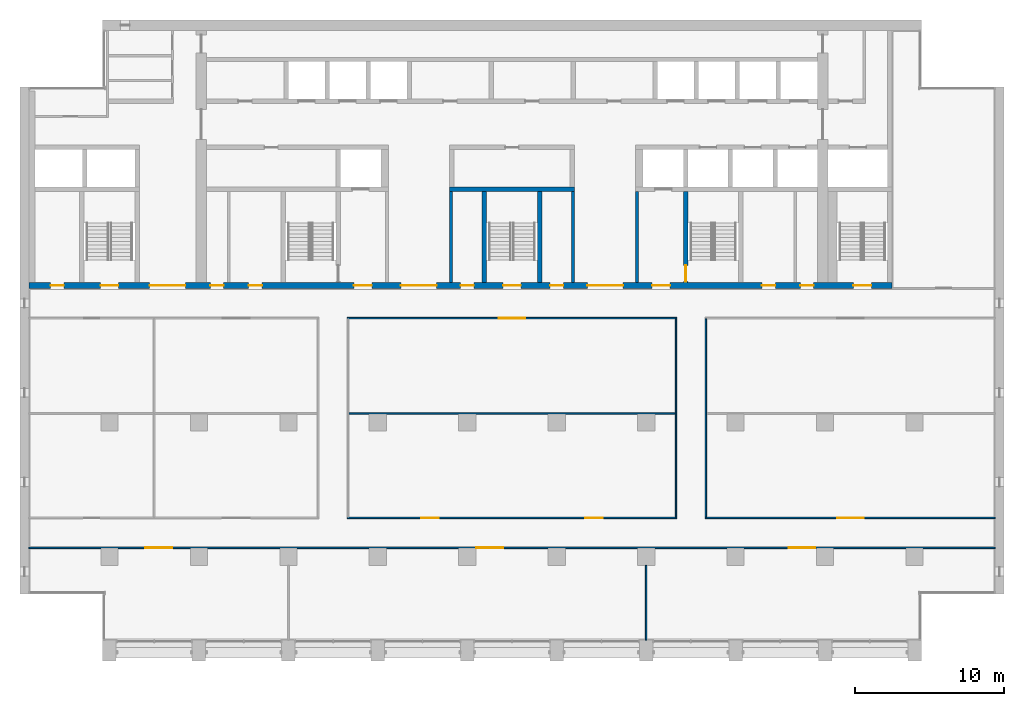
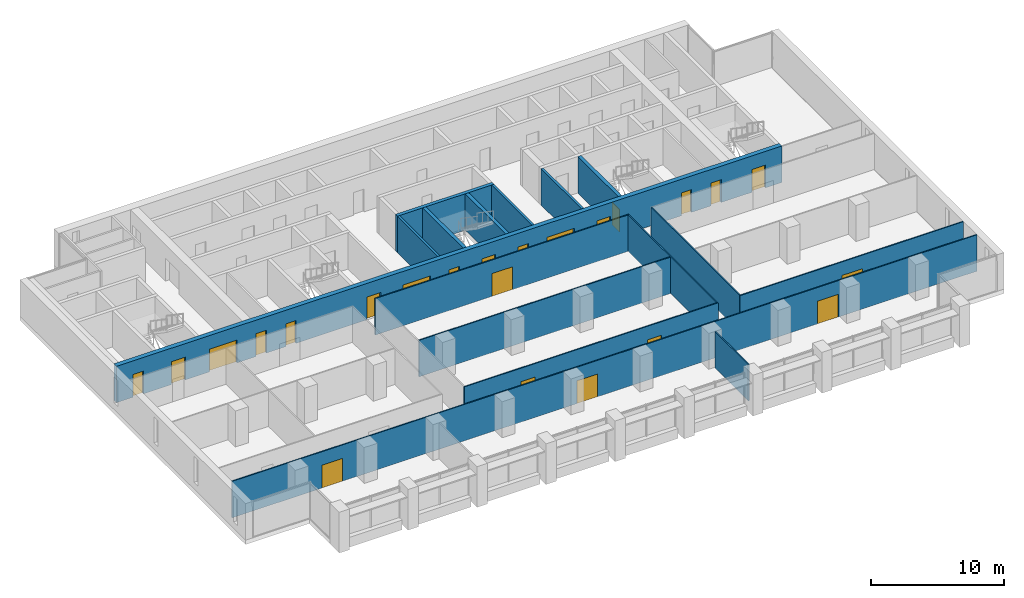
# One storey, part 9 of 16: 23 doors, 16 walls, 23 openings.
"""IFC4 building model written with IfcOpenShell, lengths in metres."""

from ifc_helpers import new_model, si_unit, direction, frame, frame_2d, origin, place, context, subcontext, project, spatial, rectangle, extrude, material, layer, layer_set, type_object, element, fill, save


model = new_model("IFC4")

# Units and contexts
model_context = context("Model", 3, precision=1e-05, world=origin(), true_north=direction((0.0, 1.0)))
body_context = subcontext(model_context, "Body", "Model", "MODEL_VIEW")
ifc_project = project(units=[si_unit("LENGTHUNIT", "METRE"), si_unit("AREAUNIT", "SQUARE_METRE"), si_unit("VOLUMEUNIT", "CUBIC_METRE"), si_unit("PLANEANGLEUNIT", "RADIAN"), si_unit("MASSUNIT", "GRAM", prefix="KILO")], contexts=[model_context])

# Site, building, storey
site_placement = place(None, origin())
site = spatial("IfcSite", under=ifc_project, at=site_placement, CompositionType="ELEMENT")
building_placement = place(site_placement, origin())
building = spatial("IfcBuilding", under=site, at=building_placement, Name="Calvaro Tower", CompositionType="ELEMENT")
storey_placement = place(building_placement, frame((0.0, 0.0, 178.0)))
storey = spatial("IfcBuildingStorey", under=building, at=storey_placement, Name="L44", CompositionType="ELEMENT", Elevation=178.0)

# Walls
ifc_material_1 = material(Name="Blockwork partition", Category="masonry")
ifc_layer_1 = layer(ifc_material_1, 0.199951171875)
ifc_layer_set_1 = layer_set([ifc_layer_1], Name="Blockwork partition")
wall_type_1 = type_object("IfcWallType", Name="Core partition 200 REI 120", PredefinedType="PARTITIONING", material=ifc_layer_set_1)
for number, where, z_axis, x_axis, name in (
    (1, (34.89990234375, 28.39990234375, 0.0), (0.0, 0.0, 1.0), (0.0, 1.0, 0.0), "Core partition"),
    (2, (43.10009765625, 28.39990234375, 0.0), (0.0, 0.0, 1.0), (0.0, 1.0, 0.0), "Core partition"),
    (3, (47.39990234375, 28.39990234375, 0.0), (0.0, 0.0, 1.0), (0.0, 1.0, 0.0), "Core partition"),
):
    element("IfcWall", number, at=place(storey_placement, frame(where, z_axis=z_axis, x_axis=x_axis)), inside=storey, type_object=wall_type_1, Name=name, PredefinedType="PARTITIONING", context=body_context, shape_type="SweptSolid", body=[
        extrude(rectangle(XDim=6.10009765625, YDim=0.199951171875, at=frame_2d((3.050048828125, 0.0))), origin(), (0.0, 0.0, 1.0), 3.35009765625),
    ])
ifc_material_2 = material(Name="Concrete C50/60", Category="concrete")
ifc_layer_2 = layer(ifc_material_2, 0.300048828125)
ifc_layer_set_2 = layer_set([ifc_layer_2], Name="Concrete C50/60")
wall_type_2 = type_object("IfcWallType", Name="Core wall C50/60 300", PredefinedType="SHEAR", material=ifc_layer_set_2)
for number, where, z_axis, x_axis, name in (
    (4, (37.14990234375, 28.39990234375, 0.0), (0.0, 0.0, 1.0), (0.0, 1.0, 0.0), "Core wall, stair enclosure"),
    (5, (40.85009765625, 28.39990234375, 0.0), (0.0, 0.0, 1.0), (0.0, 1.0, 0.0), "Core wall, stair enclosure"),
):
    element("IfcWall", number, at=place(storey_placement, frame(where, z_axis=z_axis, x_axis=x_axis)), inside=storey, type_object=wall_type_2, Name=name, PredefinedType="SHEAR", context=body_context, shape_type="SweptSolid", body=[
        extrude(rectangle(XDim=6.10009765625, YDim=0.300048828125, at=frame_2d((3.050048828125, 0.0))), origin(), (0.0, 0.0, 1.0), 3.35009765625),
    ])

# Wall, opening, door
wall_1_placement = place(storey_placement, frame((50.64990234375, 34.5, 0.0), z_axis=(0.0, 0.0, 1.0), x_axis=(0.0, -1.0, 0.0)))
wall_1 = element("IfcWall", 6, at=wall_1_placement, inside=storey, type_object=wall_type_2, Name="Core wall, stair enclosure", PredefinedType="SHEAR", context=body_context, shape_type="SweptSolid", body=[
    extrude(rectangle(XDim=6.10009765625, YDim=0.300048828125, at=frame_2d((3.050048828125, 0.0))), origin(), (0.0, 0.0, 1.0), 3.35009765625),
])
opening_1_placement = place(wall_1_placement, frame((4.949951171875, 0.0, 0.0)))
opening_1 = element("IfcOpeningElement", 7, at=opening_1_placement, cuts=wall_1, Name="Opening FD11D", PredefinedType="OPENING", context=body_context, shape_type="SweptSolid", body=[
    extrude(rectangle(XDim=1.10009765625, YDim=2.10009765625, at=frame_2d((0.550048828125, 1.050048828125))), frame((0.0, 0.159912109375, 0.0), z_axis=(0.0, -1.0, 0.0), x_axis=(1.0, 0.0, 0.0)), (0.0, 0.0, 1.0), 0.320068359375),
])
ifc_material_3 = material(Name="Steel door set", Category="steel")
door_type_1 = type_object("IfcDoorType", Name="Fire door 1100 FD30S", OperationType="SINGLE_SWING_LEFT", PredefinedType="DOOR", material=ifc_material_3)
door_1_placement = place(opening_1_placement, origin())
door_1 = element("IfcDoor", 8, at=door_1_placement, inside=storey, type_object=door_type_1, Name="Fire door", OperationType="SINGLE_SWING_RIGHT", OverallHeight=2.10009765625, OverallWidth=1.10009765625, PredefinedType="DOOR", context=body_context, shape_type="SweptSolid", body=[
    extrude(rectangle(XDim=1.10009765625, YDim=2.10009765625, at=frame_2d((0.550048828125, 1.050048828125))), frame((0.0, 0.02490234375, 0.0), z_axis=(0.0, -1.0, 0.0), x_axis=(1.0, 0.0, 0.0)), (0.0, 0.0, 1.0), 0.050048828125),
])
fill(opening_1, door_1)

# Wall
wall_2_placement = place(storey_placement, frame((34.800048828125, 34.64990234375, 0.0), z_axis=(0.0, 0.0, 1.0), x_axis=(1.0, 0.0, 0.0)))
element("IfcWall", 9, at=wall_2_placement, inside=storey, type_object=wall_type_2, Name="Core wall, lift shaft", PredefinedType="SHEAR", context=body_context, shape_type="SweptSolid", body=[
    extrude(rectangle(XDim=8.39990234375, YDim=0.300048828125, at=frame_2d((4.199951171875, 0.0))), origin(), (0.0, 0.0, 1.0), 3.35009765625),
])

# Wall, openings, doors
ifc_material_4 = material(Name="Concrete C50/60", Category="concrete")
ifc_layer_3 = layer(ifc_material_4, 0.39990234375)
ifc_layer_set_3 = layer_set([ifc_layer_3], Name="Concrete C50/60")
wall_type_3 = type_object("IfcWallType", Name="Core wall C50/60 400", PredefinedType="SHEAR", material=ifc_layer_set_3)
wall_3_placement = place(storey_placement, frame((6.60009765625, 28.199951171875, 0.0), z_axis=(0.0, 0.0, 1.0), x_axis=(1.0, 0.0, 0.0)))
wall_3 = element("IfcWall", 10, at=wall_3_placement, inside=storey, type_object=wall_type_3, Name="Core wall, front", PredefinedType="SHEAR", context=body_context, shape_type="SweptSolid", body=[
    extrude(rectangle(XDim=57.89990234375, YDim=0.39990234375, at=frame_2d((28.949951171875, 0.0))), origin(), (0.0, 0.0, 1.0), 3.35009765625),
])
opening_2_placement = place(wall_3_placement, frame((12.16259765625, 0.0, 0.0)))
opening_2 = element("IfcOpeningElement", 11, at=opening_2_placement, cuts=wall_3, Name="Opening RD9C", PredefinedType="OPENING", context=body_context, shape_type="SweptSolid", body=[
    extrude(rectangle(XDim=0.89990234375, YDim=2.10009765625, at=frame_2d((0.449951171875, 1.050048828125))), frame((0.0, 0.2099609375, 0.0), z_axis=(0.0, -1.0, 0.0), x_axis=(1.0, 0.0, 0.0)), (0.0, 0.0, 1.0), 0.419921875),
])
opening_3_placement = place(wall_3_placement, frame((14.737548828125, 0.0, 0.0)))
opening_3 = element("IfcOpeningElement", 12, at=opening_3_placement, cuts=wall_3, Name="Opening RD9E", PredefinedType="OPENING", context=body_context, shape_type="SweptSolid", body=[
    extrude(rectangle(XDim=0.89990234375, YDim=2.10009765625, at=frame_2d((0.449951171875, 1.050048828125))), frame((0.0, 0.2099609375, 0.0), z_axis=(0.0, -1.0, 0.0), x_axis=(1.0, 0.0, 0.0)), (0.0, 0.0, 1.0), 0.419921875),
])
opening_4_placement = place(wall_3_placement, frame((49.16259765625, 0.0, 0.0)))
opening_4 = element("IfcOpeningElement", 13, at=opening_4_placement, cuts=wall_3, Name="Opening RD9E", PredefinedType="OPENING", context=body_context, shape_type="SweptSolid", body=[
    extrude(rectangle(XDim=0.89990234375, YDim=2.10009765625, at=frame_2d((0.449951171875, 1.050048828125))), frame((0.0, 0.2099609375, 0.0), z_axis=(0.0, -1.0, 0.0), x_axis=(1.0, 0.0, 0.0)), (0.0, 0.0, 1.0), 0.419921875),
])
opening_5_placement = place(wall_3_placement, frame((51.737548828125, 0.0, 0.0)))
opening_5 = element("IfcOpeningElement", 14, at=opening_5_placement, cuts=wall_3, Name="Opening RD9C", PredefinedType="OPENING", context=body_context, shape_type="SweptSolid", body=[
    extrude(rectangle(XDim=0.89990234375, YDim=2.10009765625, at=frame_2d((0.449951171875, 1.050048828125))), frame((0.0, 0.2099609375, 0.0), z_axis=(0.0, -1.0, 0.0), x_axis=(1.0, 0.0, 0.0)), (0.0, 0.0, 1.0), 0.419921875),
])
opening_6_placement = place(wall_3_placement, frame((1.449951171875, 0.0, 0.0)))
opening_6 = element("IfcOpeningElement", 15, at=opening_6_placement, cuts=wall_3, Name="Opening RD9E", PredefinedType="OPENING", context=body_context, shape_type="SweptSolid", body=[
    extrude(rectangle(XDim=0.89990234375, YDim=2.10009765625, at=frame_2d((0.449951171875, 1.050048828125))), frame((0.0, 0.2099609375, 0.0), z_axis=(0.0, -1.0, 0.0), x_axis=(1.0, 0.0, 0.0)), (0.0, 0.0, 1.0), 0.419921875),
])
opening_7_placement = place(wall_3_placement, frame((4.800048828125, 0.0, 0.0)))
opening_7 = element("IfcOpeningElement", 16, at=opening_7_placement, cuts=wall_3, Name="Opening SD12D", PredefinedType="OPENING", context=body_context, shape_type="SweptSolid", body=[
    extrude(rectangle(XDim=1.199951171875, YDim=2.10009765625, at=frame_2d((0.60009765625, 1.050048828125))), frame((0.0, 0.2099609375, 0.0), z_axis=(0.0, -1.0, 0.0), x_axis=(1.0, 0.0, 0.0)), (0.0, 0.0, 1.0), 0.419921875),
])
opening_8_placement = place(wall_3_placement, frame((31.800048828125, 0.0, 0.0)))
opening_8 = element("IfcOpeningElement", 17, at=opening_8_placement, cuts=wall_3, Name="Opening SD12D", PredefinedType="OPENING", context=body_context, shape_type="SweptSolid", body=[
    extrude(rectangle(XDim=1.199951171875, YDim=2.10009765625, at=frame_2d((0.60009765625, 1.050048828125))), frame((0.0, 0.2099609375, 0.0), z_axis=(0.0, -1.0, 0.0), x_axis=(1.0, 0.0, 0.0)), (0.0, 0.0, 1.0), 0.419921875),
])
opening_9_placement = place(wall_3_placement, frame((55.300048828125, 0.0, 0.0)))
opening_9 = element("IfcOpeningElement", 18, at=opening_9_placement, cuts=wall_3, Name="Opening SD12D", PredefinedType="OPENING", context=body_context, shape_type="SweptSolid", body=[
    extrude(rectangle(XDim=1.199951171875, YDim=2.10009765625, at=frame_2d((0.60009765625, 1.050048828125))), frame((0.0, 0.2099609375, 0.0), z_axis=(0.0, -1.0, 0.0), x_axis=(1.0, 0.0, 0.0)), (0.0, 0.0, 1.0), 0.419921875),
])
opening_10_placement = place(wall_3_placement, frame((21.800048828125, 0.0, 0.0)))
opening_10 = element("IfcOpeningElement", 19, at=opening_10_placement, cuts=wall_3, Name="Opening FD12F", PredefinedType="OPENING", context=body_context, shape_type="SweptSolid", body=[
    extrude(rectangle(XDim=1.199951171875, YDim=2.10009765625, at=frame_2d((0.60009765625, 1.050048828125))), frame((0.0, 0.2099609375, 0.0), z_axis=(0.0, -1.0, 0.0), x_axis=(1.0, 0.0, 0.0)), (0.0, 0.0, 1.0), 0.419921875),
])
opening_11_placement = place(wall_3_placement, frame((41.800048828125, 0.0, 0.0)))
opening_11 = element("IfcOpeningElement", 20, at=opening_11_placement, cuts=wall_3, Name="Opening FD12F", PredefinedType="OPENING", context=body_context, shape_type="SweptSolid", body=[
    extrude(rectangle(XDim=1.199951171875, YDim=2.10009765625, at=frame_2d((0.60009765625, 1.050048828125))), frame((0.0, 0.2099609375, 0.0), z_axis=(0.0, -1.0, 0.0), x_axis=(1.0, 0.0, 0.0)), (0.0, 0.0, 1.0), 0.419921875),
])
opening_12_placement = place(wall_3_placement, frame((24.949951171875, 0.0, 0.0)))
opening_12 = element("IfcOpeningElement", 21, at=opening_12_placement, cuts=wall_3, Name="Opening DD24D", PredefinedType="OPENING", context=body_context, shape_type="SweptSolid", body=[
    extrude(rectangle(XDim=2.39990234375, YDim=2.10009765625, at=frame_2d((1.199951171875, 1.050048828125))), frame((0.0, 0.2099609375, 0.0), z_axis=(0.0, -1.0, 0.0), x_axis=(1.0, 0.0, 0.0)), (0.0, 0.0, 1.0), 0.419921875),
])
opening_13_placement = place(wall_3_placement, frame((37.449951171875, 0.0, 0.0)))
opening_13 = element("IfcOpeningElement", 22, at=opening_13_placement, cuts=wall_3, Name="Opening DD24D", PredefinedType="OPENING", context=body_context, shape_type="SweptSolid", body=[
    extrude(rectangle(XDim=2.39990234375, YDim=2.10009765625, at=frame_2d((1.199951171875, 1.050048828125))), frame((0.0, 0.2099609375, 0.0), z_axis=(0.0, -1.0, 0.0), x_axis=(1.0, 0.0, 0.0)), (0.0, 0.0, 1.0), 0.419921875),
])
opening_14_placement = place(wall_3_placement, frame((8.10009765625, 0.0, 0.0)))
opening_14 = element("IfcOpeningElement", 23, at=opening_14_placement, cuts=wall_3, Name="Opening DD24D", PredefinedType="OPENING", context=body_context, shape_type="SweptSolid", body=[
    extrude(rectangle(XDim=2.39990234375, YDim=2.10009765625, at=frame_2d((1.199951171875, 1.050048828125))), frame((0.0, 0.2099609375, 0.0), z_axis=(0.0, -1.0, 0.0), x_axis=(1.0, 0.0, 0.0)), (0.0, 0.0, 1.0), 0.419921875),
])
opening_15_placement = place(wall_3_placement, frame((28.949951171875, 0.0, 0.0)))
opening_15 = element("IfcOpeningElement", 24, at=opening_15_placement, cuts=wall_3, Name="Opening RD9E", PredefinedType="OPENING", context=body_context, shape_type="SweptSolid", body=[
    extrude(rectangle(XDim=0.89990234375, YDim=2.10009765625, at=frame_2d((0.449951171875, 1.050048828125))), frame((0.0, 0.2099609375, 0.0), z_axis=(0.0, -1.0, 0.0), x_axis=(1.0, 0.0, 0.0)), (0.0, 0.0, 1.0), 0.419921875),
])
opening_16_placement = place(wall_3_placement, frame((34.949951171875, 0.0, 0.0)))
opening_16 = element("IfcOpeningElement", 25, at=opening_16_placement, cuts=wall_3, Name="Opening RD9E", PredefinedType="OPENING", context=body_context, shape_type="SweptSolid", body=[
    extrude(rectangle(XDim=0.89990234375, YDim=2.10009765625, at=frame_2d((0.449951171875, 1.050048828125))), frame((0.0, 0.2099609375, 0.0), z_axis=(0.0, -1.0, 0.0), x_axis=(1.0, 0.0, 0.0)), (0.0, 0.0, 1.0), 0.419921875),
])
ifc_material_5 = material(Name="Steel door set", Category="steel")
door_type_2 = type_object("IfcDoorType", Name="Fire door 1200 FD60S", OperationType="SINGLE_SWING_LEFT", PredefinedType="DOOR", material=ifc_material_5)
door_2_placement = place(opening_10_placement, origin())
door_2 = element("IfcDoor", 26, at=door_2_placement, inside=storey, type_object=door_type_2, Name="Fire door", OperationType="SINGLE_SWING_LEFT", OverallHeight=2.10009765625, OverallWidth=1.199951171875, PredefinedType="DOOR", context=body_context, shape_type="SweptSolid", body=[
    extrude(rectangle(XDim=1.199951171875, YDim=2.10009765625, at=frame_2d((0.60009765625, 1.050048828125))), frame((0.0, 0.02490234375, 0.0), z_axis=(0.0, -1.0, 0.0), x_axis=(1.0, 0.0, 0.0)), (0.0, 0.0, 1.0), 0.050048828125),
])
fill(opening_10, door_2)
door_3_placement = place(opening_11_placement, origin())
door_3 = element("IfcDoor", 27, at=door_3_placement, inside=storey, type_object=door_type_2, Name="Fire door", OperationType="SINGLE_SWING_LEFT", OverallHeight=2.10009765625, OverallWidth=1.199951171875, PredefinedType="DOOR", context=body_context, shape_type="SweptSolid", body=[
    extrude(rectangle(XDim=1.199951171875, YDim=2.10009765625, at=frame_2d((0.60009765625, 1.050048828125))), frame((0.0, 0.02490234375, 0.0), z_axis=(0.0, -1.0, 0.0), x_axis=(1.0, 0.0, 0.0)), (0.0, 0.0, 1.0), 0.050048828125),
])
fill(opening_11, door_3)
ifc_material_6 = material(Name="Steel door set", Category="steel")
door_type_3 = type_object("IfcDoorType", Name="Lobby double door 2400 FD30S", OperationType="DOUBLE_DOOR_SINGLE_SWING", PredefinedType="DOOR", material=ifc_material_6)
door_4_placement = place(opening_12_placement, origin())
door_4 = element("IfcDoor", 28, at=door_4_placement, inside=storey, type_object=door_type_3, Name="Lobby double door", OperationType="DOUBLE_DOOR_SINGLE_SWING", OverallHeight=2.10009765625, OverallWidth=2.39990234375, PredefinedType="DOOR", context=body_context, shape_type="SweptSolid", body=[
    extrude(rectangle(XDim=2.39990234375, YDim=2.10009765625, at=frame_2d((1.199951171875, 1.050048828125))), frame((0.0, 0.02490234375, 0.0), z_axis=(0.0, -1.0, 0.0), x_axis=(1.0, 0.0, 0.0)), (0.0, 0.0, 1.0), 0.050048828125),
])
fill(opening_12, door_4)
door_5_placement = place(opening_13_placement, origin())
door_5 = element("IfcDoor", 29, at=door_5_placement, inside=storey, type_object=door_type_3, Name="Lobby double door", OperationType="DOUBLE_DOOR_SINGLE_SWING", OverallHeight=2.10009765625, OverallWidth=2.39990234375, PredefinedType="DOOR", context=body_context, shape_type="SweptSolid", body=[
    extrude(rectangle(XDim=2.39990234375, YDim=2.10009765625, at=frame_2d((1.199951171875, 1.050048828125))), frame((0.0, 0.02490234375, 0.0), z_axis=(0.0, -1.0, 0.0), x_axis=(1.0, 0.0, 0.0)), (0.0, 0.0, 1.0), 0.050048828125),
])
fill(opening_13, door_5)
door_6_placement = place(opening_14_placement, origin())
door_6 = element("IfcDoor", 30, at=door_6_placement, inside=storey, type_object=door_type_3, Name="Lobby double door", OperationType="DOUBLE_DOOR_SINGLE_SWING", OverallHeight=2.10009765625, OverallWidth=2.39990234375, PredefinedType="DOOR", context=body_context, shape_type="SweptSolid", body=[
    extrude(rectangle(XDim=2.39990234375, YDim=2.10009765625, at=frame_2d((1.199951171875, 1.050048828125))), frame((0.0, 0.02490234375, 0.0), z_axis=(0.0, -1.0, 0.0), x_axis=(1.0, 0.0, 0.0)), (0.0, 0.0, 1.0), 0.050048828125),
])
fill(opening_14, door_6)
ifc_material_7 = material(Name="Steel door set", Category="steel")
door_type_4 = type_object("IfcDoorType", Name="Room door 900 FD30", OperationType="SINGLE_SWING_LEFT", PredefinedType="DOOR", material=ifc_material_7)
door_7_placement = place(opening_2_placement, origin())
door_7 = element("IfcDoor", 31, at=door_7_placement, inside=storey, type_object=door_type_4, Name="Room door", OperationType="SINGLE_SWING_LEFT", OverallHeight=2.10009765625, OverallWidth=0.89990234375, PredefinedType="DOOR", context=body_context, shape_type="SweptSolid", body=[
    extrude(rectangle(XDim=0.89990234375, YDim=2.10009765625, at=frame_2d((0.449951171875, 1.050048828125))), frame((0.0, 0.02490234375, 0.0), z_axis=(0.0, -1.0, 0.0), x_axis=(1.0, 0.0, 0.0)), (0.0, 0.0, 1.0), 0.050048828125),
])
fill(opening_2, door_7)
door_8_placement = place(opening_5_placement, origin())
door_8 = element("IfcDoor", 32, at=door_8_placement, inside=storey, type_object=door_type_4, Name="Room door", OperationType="SINGLE_SWING_LEFT", OverallHeight=2.10009765625, OverallWidth=0.89990234375, PredefinedType="DOOR", context=body_context, shape_type="SweptSolid", body=[
    extrude(rectangle(XDim=0.89990234375, YDim=2.10009765625, at=frame_2d((0.449951171875, 1.050048828125))), frame((0.0, 0.02490234375, 0.0), z_axis=(0.0, -1.0, 0.0), x_axis=(1.0, 0.0, 0.0)), (0.0, 0.0, 1.0), 0.050048828125),
])
fill(opening_5, door_8)
ifc_material_8 = material(Name="Steel door set", Category="steel")
door_type_5 = type_object("IfcDoorType", Name="Room door 900 FD60", OperationType="SINGLE_SWING_LEFT", PredefinedType="DOOR", material=ifc_material_8)
door_9_placement = place(opening_3_placement, origin())
door_9 = element("IfcDoor", 33, at=door_9_placement, inside=storey, type_object=door_type_5, Name="Room door", OperationType="SINGLE_SWING_RIGHT", OverallHeight=2.10009765625, OverallWidth=0.89990234375, PredefinedType="DOOR", context=body_context, shape_type="SweptSolid", body=[
    extrude(rectangle(XDim=0.89990234375, YDim=2.10009765625, at=frame_2d((0.449951171875, 1.050048828125))), frame((0.0, 0.02490234375, 0.0), z_axis=(0.0, -1.0, 0.0), x_axis=(1.0, 0.0, 0.0)), (0.0, 0.0, 1.0), 0.050048828125),
])
fill(opening_3, door_9)
door_10_placement = place(opening_4_placement, origin())
door_10 = element("IfcDoor", 34, at=door_10_placement, inside=storey, type_object=door_type_5, Name="Room door", OperationType="SINGLE_SWING_LEFT", OverallHeight=2.10009765625, OverallWidth=0.89990234375, PredefinedType="DOOR", context=body_context, shape_type="SweptSolid", body=[
    extrude(rectangle(XDim=0.89990234375, YDim=2.10009765625, at=frame_2d((0.449951171875, 1.050048828125))), frame((0.0, 0.02490234375, 0.0), z_axis=(0.0, -1.0, 0.0), x_axis=(1.0, 0.0, 0.0)), (0.0, 0.0, 1.0), 0.050048828125),
])
fill(opening_4, door_10)
door_11_placement = place(opening_6_placement, origin())
door_11 = element("IfcDoor", 35, at=door_11_placement, inside=storey, type_object=door_type_5, Name="Room door", OperationType="SINGLE_SWING_LEFT", OverallHeight=2.10009765625, OverallWidth=0.89990234375, PredefinedType="DOOR", context=body_context, shape_type="SweptSolid", body=[
    extrude(rectangle(XDim=0.89990234375, YDim=2.10009765625, at=frame_2d((0.449951171875, 1.050048828125))), frame((0.0, 0.02490234375, 0.0), z_axis=(0.0, -1.0, 0.0), x_axis=(1.0, 0.0, 0.0)), (0.0, 0.0, 1.0), 0.050048828125),
])
fill(opening_6, door_11)
door_12_placement = place(opening_15_placement, origin())
door_12 = element("IfcDoor", 36, at=door_12_placement, inside=storey, type_object=door_type_5, Name="Room door", OperationType="SINGLE_SWING_LEFT", OverallHeight=2.10009765625, OverallWidth=0.89990234375, PredefinedType="DOOR", context=body_context, shape_type="SweptSolid", body=[
    extrude(rectangle(XDim=0.89990234375, YDim=2.10009765625, at=frame_2d((0.449951171875, 1.050048828125))), frame((0.0, 0.02490234375, 0.0), z_axis=(0.0, -1.0, 0.0), x_axis=(1.0, 0.0, 0.0)), (0.0, 0.0, 1.0), 0.050048828125),
])
fill(opening_15, door_12)
door_13_placement = place(opening_16_placement, origin())
door_13 = element("IfcDoor", 37, at=door_13_placement, inside=storey, type_object=door_type_5, Name="Room door", OperationType="SINGLE_SWING_LEFT", OverallHeight=2.10009765625, OverallWidth=0.89990234375, PredefinedType="DOOR", context=body_context, shape_type="SweptSolid", body=[
    extrude(rectangle(XDim=0.89990234375, YDim=2.10009765625, at=frame_2d((0.449951171875, 1.050048828125))), frame((0.0, 0.02490234375, 0.0), z_axis=(0.0, -1.0, 0.0), x_axis=(1.0, 0.0, 0.0)), (0.0, 0.0, 1.0), 0.050048828125),
])
fill(opening_16, door_13)
ifc_material_9 = material(Name="Steel door set", Category="steel")
door_type_6 = type_object("IfcDoorType", Name="Stair door 1200 FD30S", OperationType="SINGLE_SWING_LEFT", PredefinedType="DOOR", material=ifc_material_9)
door_14_placement = place(opening_7_placement, origin())
door_14 = element("IfcDoor", 38, at=door_14_placement, inside=storey, type_object=door_type_6, Name="Stair door", OperationType="SINGLE_SWING_LEFT", OverallHeight=2.10009765625, OverallWidth=1.199951171875, PredefinedType="DOOR", context=body_context, shape_type="SweptSolid", body=[
    extrude(rectangle(XDim=1.199951171875, YDim=2.10009765625, at=frame_2d((0.60009765625, 1.050048828125))), frame((0.0, 0.02490234375, 0.0), z_axis=(0.0, -1.0, 0.0), x_axis=(1.0, 0.0, 0.0)), (0.0, 0.0, 1.0), 0.050048828125),
])
fill(opening_7, door_14)
door_15_placement = place(opening_8_placement, origin())
door_15 = element("IfcDoor", 39, at=door_15_placement, inside=storey, type_object=door_type_6, Name="Stair door", OperationType="SINGLE_SWING_LEFT", OverallHeight=2.10009765625, OverallWidth=1.199951171875, PredefinedType="DOOR", context=body_context, shape_type="SweptSolid", body=[
    extrude(rectangle(XDim=1.199951171875, YDim=2.10009765625, at=frame_2d((0.60009765625, 1.050048828125))), frame((0.0, 0.02490234375, 0.0), z_axis=(0.0, -1.0, 0.0), x_axis=(1.0, 0.0, 0.0)), (0.0, 0.0, 1.0), 0.050048828125),
])
fill(opening_8, door_15)
door_16_placement = place(opening_9_placement, origin())
door_16 = element("IfcDoor", 40, at=door_16_placement, inside=storey, type_object=door_type_6, Name="Stair door", OperationType="SINGLE_SWING_LEFT", OverallHeight=2.10009765625, OverallWidth=1.199951171875, PredefinedType="DOOR", context=body_context, shape_type="SweptSolid", body=[
    extrude(rectangle(XDim=1.199951171875, YDim=2.10009765625, at=frame_2d((0.60009765625, 1.050048828125))), frame((0.0, 0.02490234375, 0.0), z_axis=(0.0, -1.0, 0.0), x_axis=(1.0, 0.0, 0.0)), (0.0, 0.0, 1.0), 0.050048828125),
])
fill(opening_9, door_16)

ifc_material_10 = material(Name="Plasterboard on steel studs", Category="steel")
ifc_layer_4 = layer(ifc_material_10, 0.10009765625)
ifc_layer_set_4 = layer_set([ifc_layer_4], Name="Plasterboard on steel studs")
wall_type_4 = type_object("IfcWallType", Name="Partition 100", PredefinedType="PARTITIONING", material=ifc_layer_set_4)
wall_4_placement = place(storey_placement, frame((6.60009765625, 10.60009765625, 0.0), z_axis=(0.0, 0.0, 1.0), x_axis=(1.0, 0.0, 0.0)))
wall_4 = element("IfcWall", 41, at=wall_4_placement, inside=storey, type_object=wall_type_4, Name="Partition T26.W001", PredefinedType="PARTITIONING", context=body_context, shape_type="SweptSolid", body=[
    extrude(rectangle(XDim=64.7998046875, YDim=0.10009765625, at=frame_2d((32.39990234375, 0.0))), origin(), (0.0, 0.0, 1.0), 3.35009765625),
])
opening_17_placement = place(wall_4_placement, frame((30.0, 0.0, 0.0)))
opening_17 = element("IfcOpeningElement", 42, at=opening_17_placement, cuts=wall_4, Name="Opening T26.001", PredefinedType="OPENING", context=body_context, shape_type="SweptSolid", body=[
    extrude(rectangle(XDim=1.800048828125, YDim=2.10009765625, at=frame_2d((0.89990234375, 1.050048828125))), frame((0.0, 0.06005859375, 0.0), z_axis=(0.0, -1.0, 0.0), x_axis=(1.0, 0.0, 0.0)), (0.0, 0.0, 1.0), 0.1201171875),
])
opening_18_placement = place(wall_4_placement, frame((50.949951171875, 0.0, 0.0)))
opening_18 = element("IfcOpeningElement", 43, at=opening_18_placement, cuts=wall_4, Name="Opening T26.002", PredefinedType="OPENING", context=body_context, shape_type="SweptSolid", body=[
    extrude(rectangle(XDim=1.800048828125, YDim=2.10009765625, at=frame_2d((0.89990234375, 1.050048828125))), frame((0.0, 0.06005859375, 0.0), z_axis=(0.0, -1.0, 0.0), x_axis=(1.0, 0.0, 0.0)), (0.0, 0.0, 1.0), 0.1201171875),
])
opening_19_placement = place(wall_4_placement, frame((7.800048828125, 0.0, 0.0)))
opening_19 = element("IfcOpeningElement", 44, at=opening_19_placement, cuts=wall_4, Name="Opening T26.003", PredefinedType="OPENING", context=body_context, shape_type="SweptSolid", body=[
    extrude(rectangle(XDim=1.800048828125, YDim=2.10009765625, at=frame_2d((0.89990234375, 1.050048828125))), frame((0.0, 0.06005859375, 0.0), z_axis=(0.0, -1.0, 0.0), x_axis=(1.0, 0.0, 0.0)), (0.0, 0.0, 1.0), 0.1201171875),
])
ifc_material_11 = material(Name="Timber", Category="wood")
door_type_7 = type_object("IfcDoorType", Name="Internal double door 1800 x 2100", OperationType="DOUBLE_DOOR_SINGLE_SWING", PredefinedType="DOOR", material=ifc_material_11)
door_17_placement = place(opening_17_placement, origin())
door_17 = element("IfcDoor", 45, at=door_17_placement, inside=storey, type_object=door_type_7, Name="Door T26.001", OperationType="DOUBLE_DOOR_SINGLE_SWING", OverallHeight=2.10009765625, OverallWidth=1.800048828125, PredefinedType="DOOR", context=body_context, shape_type="SweptSolid", body=[
    extrude(rectangle(XDim=1.800048828125, YDim=2.10009765625, at=frame_2d((0.89990234375, 1.050048828125))), frame((0.0, 0.02490234375, 0.0), z_axis=(0.0, -1.0, 0.0), x_axis=(1.0, 0.0, 0.0)), (0.0, 0.0, 1.0), 0.050048828125),
])
fill(opening_17, door_17)
door_18_placement = place(opening_18_placement, origin())
door_18 = element("IfcDoor", 46, at=door_18_placement, inside=storey, type_object=door_type_7, Name="Door T26.002", OperationType="DOUBLE_DOOR_SINGLE_SWING", OverallHeight=2.10009765625, OverallWidth=1.800048828125, PredefinedType="DOOR", context=body_context, shape_type="SweptSolid", body=[
    extrude(rectangle(XDim=1.800048828125, YDim=2.10009765625, at=frame_2d((0.89990234375, 1.050048828125))), frame((0.0, 0.02490234375, 0.0), z_axis=(0.0, -1.0, 0.0), x_axis=(1.0, 0.0, 0.0)), (0.0, 0.0, 1.0), 0.050048828125),
])
fill(opening_18, door_18)
door_19_placement = place(opening_19_placement, origin())
door_19 = element("IfcDoor", 47, at=door_19_placement, inside=storey, type_object=door_type_7, Name="Door T26.003", OperationType="DOUBLE_DOOR_SINGLE_SWING", OverallHeight=2.10009765625, OverallWidth=1.800048828125, PredefinedType="DOOR", context=body_context, shape_type="SweptSolid", body=[
    extrude(rectangle(XDim=1.800048828125, YDim=2.10009765625, at=frame_2d((0.89990234375, 1.050048828125))), frame((0.0, 0.02490234375, 0.0), z_axis=(0.0, -1.0, 0.0), x_axis=(1.0, 0.0, 0.0)), (0.0, 0.0, 1.0), 0.050048828125),
])
fill(opening_19, door_19)

wall_5_placement = place(storey_placement, frame((27.949951171875, 12.60009765625, 0.0), z_axis=(0.0, 0.0, 1.0), x_axis=(1.0, 0.0, 0.0)))
wall_5 = element("IfcWall", 48, at=wall_5_placement, inside=storey, type_object=wall_type_4, Name="Partition T26.W003", PredefinedType="PARTITIONING", context=body_context, shape_type="SweptSolid", body=[
    extrude(rectangle(XDim=22.10009765625, YDim=0.10009765625, at=frame_2d((11.050048828125, 0.0))), origin(), (0.0, 0.0, 1.0), 3.35009765625),
])
opening_20_placement = place(wall_5_placement, frame((4.949951171875, 0.0, 0.0)))
opening_20 = element("IfcOpeningElement", 49, at=opening_20_placement, cuts=wall_5, Name="Opening T26.006", PredefinedType="OPENING", context=body_context, shape_type="SweptSolid", body=[
    extrude(rectangle(XDim=1.199951171875, YDim=2.10009765625, at=frame_2d((0.60009765625, 1.050048828125))), frame((0.0, 0.06005859375, 0.0), z_axis=(0.0, -1.0, 0.0), x_axis=(1.0, 0.0, 0.0)), (0.0, 0.0, 1.0), 0.1201171875),
])
opening_21_placement = place(wall_5_placement, frame((15.949951171875, 0.0, 0.0)))
opening_21 = element("IfcOpeningElement", 50, at=opening_21_placement, cuts=wall_5, Name="Opening T26.007", PredefinedType="OPENING", context=body_context, shape_type="SweptSolid", body=[
    extrude(rectangle(XDim=1.199951171875, YDim=2.10009765625, at=frame_2d((0.60009765625, 1.050048828125))), frame((0.0, 0.06005859375, 0.0), z_axis=(0.0, -1.0, 0.0), x_axis=(1.0, 0.0, 0.0)), (0.0, 0.0, 1.0), 0.1201171875),
])
ifc_material_12 = material(Name="Timber", Category="wood")
door_type_8 = type_object("IfcDoorType", Name="Internal single door 1200 x 2100", OperationType="SINGLE_SWING_LEFT", PredefinedType="DOOR", material=ifc_material_12)
door_20_placement = place(opening_20_placement, origin())
door_20 = element("IfcDoor", 51, at=door_20_placement, inside=storey, type_object=door_type_8, Name="Door T26.006", OperationType="SINGLE_SWING_LEFT", OverallHeight=2.10009765625, OverallWidth=1.199951171875, PredefinedType="DOOR", context=body_context, shape_type="SweptSolid", body=[
    extrude(rectangle(XDim=1.199951171875, YDim=2.10009765625, at=frame_2d((0.60009765625, 1.050048828125))), frame((0.0, 0.02490234375, 0.0), z_axis=(0.0, -1.0, 0.0), x_axis=(1.0, 0.0, 0.0)), (0.0, 0.0, 1.0), 0.050048828125),
])
fill(opening_20, door_20)
door_21_placement = place(opening_21_placement, origin())
door_21 = element("IfcDoor", 52, at=door_21_placement, inside=storey, type_object=door_type_8, Name="Door T26.007", OperationType="SINGLE_SWING_RIGHT", OverallHeight=2.10009765625, OverallWidth=1.199951171875, PredefinedType="DOOR", context=body_context, shape_type="SweptSolid", body=[
    extrude(rectangle(XDim=1.199951171875, YDim=2.10009765625, at=frame_2d((0.60009765625, 1.050048828125))), frame((0.0, 0.02490234375, 0.0), z_axis=(0.0, -1.0, 0.0), x_axis=(1.0, 0.0, 0.0)), (0.0, 0.0, 1.0), 0.050048828125),
])
fill(opening_21, door_21)

# Wall, opening, door
wall_6_placement = place(storey_placement, frame((51.949951171875, 12.60009765625, 0.0), z_axis=(0.0, 0.0, 1.0), x_axis=(1.0, 0.0, 0.0)))
wall_6 = element("IfcWall", 53, at=wall_6_placement, inside=storey, type_object=wall_type_4, Name="Partition T26.W004", PredefinedType="PARTITIONING", context=body_context, shape_type="SweptSolid", body=[
    extrude(rectangle(XDim=19.449951171875, YDim=0.10009765625, at=frame_2d((9.72509765625, 0.0))), origin(), (0.0, 0.0, 1.0), 3.35009765625),
])
opening_22_placement = place(wall_6_placement, frame((8.85009765625, 0.0, 0.0)))
opening_22 = element("IfcOpeningElement", 54, at=opening_22_placement, cuts=wall_6, Name="Opening T26.008", PredefinedType="OPENING", context=body_context, shape_type="SweptSolid", body=[
    extrude(rectangle(XDim=1.800048828125, YDim=2.10009765625, at=frame_2d((0.89990234375, 1.050048828125))), frame((0.0, 0.06005859375, 0.0), z_axis=(0.0, -1.0, 0.0), x_axis=(1.0, 0.0, 0.0)), (0.0, 0.0, 1.0), 0.1201171875),
])
door_22_placement = place(opening_22_placement, origin())
door_22 = element("IfcDoor", 55, at=door_22_placement, inside=storey, type_object=door_type_7, Name="Door T26.008", OperationType="DOUBLE_DOOR_SINGLE_SWING", OverallHeight=2.10009765625, OverallWidth=1.800048828125, PredefinedType="DOOR", context=body_context, shape_type="SweptSolid", body=[
    extrude(rectangle(XDim=1.800048828125, YDim=2.10009765625, at=frame_2d((0.89990234375, 1.050048828125))), frame((0.0, 0.02490234375, 0.0), z_axis=(0.0, -1.0, 0.0), x_axis=(1.0, 0.0, 0.0)), (0.0, 0.0, 1.0), 0.050048828125),
])
fill(opening_22, door_22)

# Wall
wall_7_placement = place(storey_placement, frame((28.050048828125, 19.60009765625, 0.0), z_axis=(0.0, 0.0, 1.0), x_axis=(1.0, 0.0, 0.0)))
element("IfcWall", 56, at=wall_7_placement, inside=storey, type_object=wall_type_4, Name="Partition T26.W006", PredefinedType="PARTITIONING", context=body_context, shape_type="SweptSolid", body=[
    extrude(rectangle(XDim=21.89990234375, YDim=0.10009765625, at=frame_2d((10.949951171875, 0.0))), origin(), (0.0, 0.0, 1.0), 3.35009765625),
])

# Wall, opening, door
wall_8_placement = place(storey_placement, frame((27.949951171875, 26.0, 0.0), z_axis=(0.0, 0.0, 1.0), x_axis=(1.0, 0.0, 0.0)))
wall_8 = element("IfcWall", 57, at=wall_8_placement, inside=storey, type_object=wall_type_4, Name="Partition T26.W009", PredefinedType="PARTITIONING", context=body_context, shape_type="SweptSolid", body=[
    extrude(rectangle(XDim=22.10009765625, YDim=0.10009765625, at=frame_2d((11.050048828125, 0.0))), origin(), (0.0, 0.0, 1.0), 3.35009765625),
])
opening_23_placement = place(wall_8_placement, frame((10.14990234375, 0.0, 0.0)))
opening_23 = element("IfcOpeningElement", 58, at=opening_23_placement, cuts=wall_8, Name="Opening T26.011", PredefinedType="OPENING", context=body_context, shape_type="SweptSolid", body=[
    extrude(rectangle(XDim=1.800048828125, YDim=2.10009765625, at=frame_2d((0.89990234375, 1.050048828125))), frame((0.0, 0.06005859375, 0.0), z_axis=(0.0, -1.0, 0.0), x_axis=(1.0, 0.0, 0.0)), (0.0, 0.0, 1.0), 0.1201171875),
])
door_23_placement = place(opening_23_placement, origin())
door_23 = element("IfcDoor", 59, at=door_23_placement, inside=storey, type_object=door_type_7, Name="Door T26.011", OperationType="DOUBLE_DOOR_SINGLE_SWING", OverallHeight=2.10009765625, OverallWidth=1.800048828125, PredefinedType="DOOR", context=body_context, shape_type="SweptSolid", body=[
    extrude(rectangle(XDim=1.800048828125, YDim=2.10009765625, at=frame_2d((0.89990234375, 1.050048828125))), frame((0.0, 0.02490234375, 0.0), z_axis=(0.0, -1.0, 0.0), x_axis=(1.0, 0.0, 0.0)), (0.0, 0.0, 1.0), 0.050048828125),
])
fill(opening_23, door_23)

# Walls
wall_9_placement = place(storey_placement, frame((48.0, 4.39990234375, 0.0), z_axis=(0.0, 0.0, 1.0), x_axis=(0.0, 1.0, 0.0)))
element("IfcWall", 60, at=wall_9_placement, inside=storey, type_object=wall_type_4, Name="Partition T26.W017", PredefinedType="PARTITIONING", context=body_context, shape_type="SweptSolid", body=[
    extrude(rectangle(XDim=5.025146484375, YDim=0.10009765625, at=frame_2d((2.5126953125, 0.0))), origin(), (0.0, 0.0, 1.0), 3.35009765625),
])
for number, where, z_axis, x_axis, name in (
    (61, (50.0, 12.64990234375, 0.0), (0.0, 0.0, 1.0), (0.0, 1.0, 0.0), "Partition T26.W018"),
    (62, (52.0, 12.64990234375, 0.0), (0.0, 0.0, 1.0), (0.0, 1.0, 0.0), "Partition T26.W019"),
):
    element("IfcWall", number, at=place(storey_placement, frame(where, z_axis=z_axis, x_axis=x_axis)), inside=storey, type_object=wall_type_4, Name=name, PredefinedType="PARTITIONING", context=body_context, shape_type="SweptSolid", body=[
        extrude(rectangle(XDim=13.300048828125, YDim=0.10009765625, at=frame_2d((6.64990234375, 0.0))), origin(), (0.0, 0.0, 1.0), 3.35009765625),
    ])

save(model, "model.ifc")
